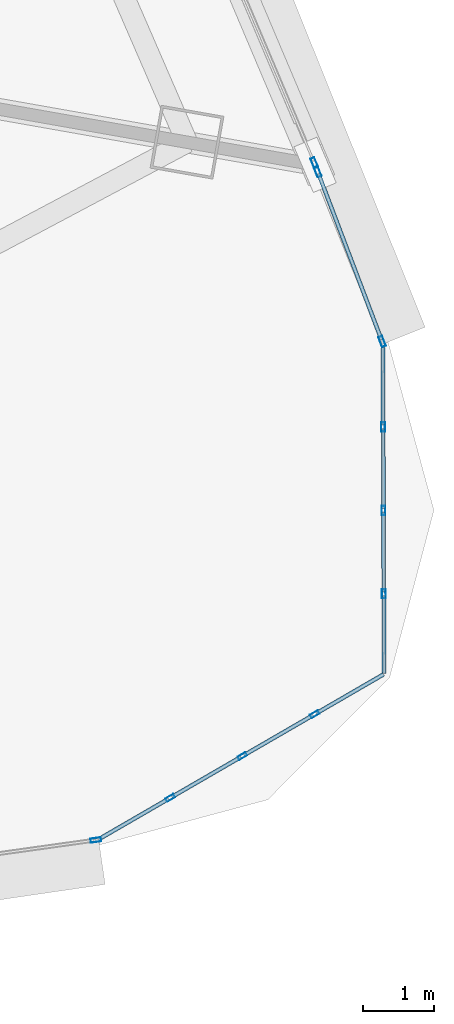
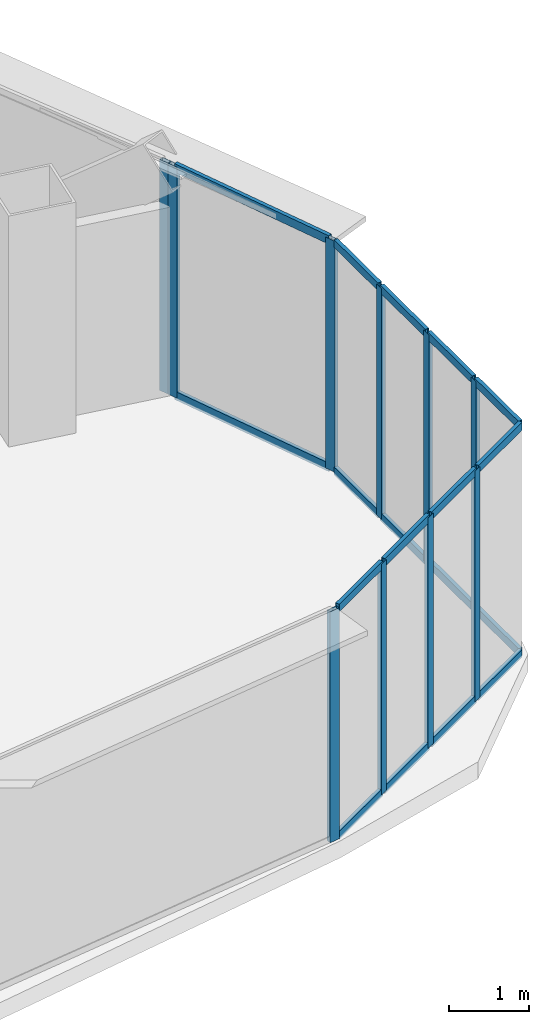
# One storey, part 23 of 38: 28 members, 5 elements without a shape of their own.
"""IFC4 building model written with IfcOpenShell, lengths in metres."""

from ifc_helpers import new_model, si_unit, direction, frame, origin, origin_2d, place, context, subcontext, project, spatial, hollow_rectangle, extrude, source, transform, mapped, material, layer, layer_set, material_profile, profile_set, type_object, element, aggregate, save


model = new_model("IFC4")

# Units and contexts
model_context = context("Model", 3, precision=1e-05, world=origin(), true_north=direction((0.0, 1.0)))
body_context = subcontext(model_context, "Body", "Model", "MODEL_VIEW")
ifc_project = project(units=[si_unit("LENGTHUNIT", "METRE"), si_unit("AREAUNIT", "SQUARE_METRE"), si_unit("VOLUMEUNIT", "CUBIC_METRE"), si_unit("PLANEANGLEUNIT", "RADIAN"), si_unit("MASSUNIT", "GRAM", prefix="KILO"), si_unit("THERMODYNAMICTEMPERATUREUNIT", "KELVIN"), si_unit("POWERUNIT", "WATT")], contexts=[model_context])

# Site, building, storey
site_placement = place(None, origin())
site = spatial("IfcSite", under=ifc_project, at=site_placement, CompositionType="ELEMENT")
building_placement = place(site_placement, origin())
building = spatial("IfcBuilding", under=site, at=building_placement, Name="Yunzhuo Pagoda Commons", CompositionType="ELEMENT")
storey_placement = place(building_placement, frame((0.0, 0.0, 203.760009765625)))
storey = spatial("IfcBuildingStorey", under=building, at=storey_placement, Name="L51", CompositionType="ELEMENT", Elevation=203.760009765625)

# Curtain wall, members
ifc_material = material(Name="Anodized aluminium 6063-T6", Category="aluminium")
ifc_layer_1 = layer(ifc_material, 0.1298828125)
ifc_layer_set_1 = layer_set([ifc_layer_1], Name="Anodized aluminium 6063-T6")
curtain_wall_type_1 = type_object("IfcCurtainWallType", Name="CW-VTX Rounded Corner Curtain Wall", PredefinedType="NOTDEFINED", material=ifc_layer_set_1)
curtain_wall_1_placement = place(storey_placement, origin())
curtain_wall_1 = element("IfcCurtainWall", 1, at=curtain_wall_1_placement, inside=storey, type_object=curtain_wall_type_1, Name="L51 curtain wall CW-L51-VTX2S1", PredefinedType="NOTDEFINED")
ifc_material_profile_1 = material_profile(ifc_material, hollow_rectangle(XDim=0.054931640625, YDim=0.1298828125, WallThickness=0.00341796875, at=origin_2d()), Name="Anodized aluminium 6063-T6")
ifc_profile_set_1 = profile_set([ifc_material_profile_1], Name="Anodized aluminium 6063-T6")
member_type_1 = type_object("IfcMemberType", Name="CW-VTX-M Mullion RHS 130x55x3.5", PredefinedType="MULLION", material=ifc_profile_set_1)
shared_shape_1 = source(origin(), body_context, "Body", "SweptSolid", [
    extrude(hollow_rectangle(XDim=0.054931640625, YDim=0.1298828125, WallThickness=0.00341796875, at=origin_2d()), origin(), (0.0, 0.0, 1.0), 3.5400390625),
])
member_1_placement = place(storey_placement, frame((82.969482421875, 18.24169921875, 0.0), z_axis=(0.0, 0.0, 1.0), x_axis=(-0.50103710735, 0.865425801013, 0.0)))
member_1 = element("IfcMember", 2, at=member_1_placement, type_object=member_type_1, Name="CW mullion 2", PredefinedType="MULLION", context=body_context, shape_type="MappedRepresentation", body=[
    mapped(shared_shape_1, transform((0.0, 0.0, 0.0), scale=1.0)),
])
member_2_placement = place(storey_placement, frame((83.989013671875, 18.831787109375, 0.0), z_axis=(0.0, 0.0, 1.0), x_axis=(-0.50103710735, 0.865425801013, 0.0)))
member_2 = element("IfcMember", 3, at=member_2_placement, type_object=member_type_1, Name="CW mullion 3", PredefinedType="MULLION", context=body_context, shape_type="MappedRepresentation", body=[
    mapped(shared_shape_1, transform((0.0, 0.0, 0.0), scale=1.0)),
])
member_3_placement = place(storey_placement, frame((85.008056640625, 19.421875, 0.0), z_axis=(0.0, 0.0, 1.0), x_axis=(-0.50103710735, 0.865425801013, 0.0)))
member_3 = element("IfcMember", 4, at=member_3_placement, type_object=member_type_1, Name="CW mullion 4", PredefinedType="MULLION", context=body_context, shape_type="MappedRepresentation", body=[
    mapped(shared_shape_1, transform((0.0, 0.0, 0.0), scale=1.0)),
])

curtain_wall_2_placement = place(storey_placement, origin())
curtain_wall_2 = element("IfcCurtainWall", 5, at=curtain_wall_2_placement, inside=storey, type_object=curtain_wall_type_1, Name="L51 curtain wall CW-L51-VTX2S2", PredefinedType="NOTDEFINED")
member_4_placement = place(storey_placement, frame((85.98291015625, 21.1201171875, 0.0), z_axis=(0.0, 0.0, 1.0), x_axis=(-0.999993564434, -0.00358763029, 0.0)))
member_4 = element("IfcMember", 6, at=member_4_placement, type_object=member_type_1, Name="CW mullion 2", PredefinedType="MULLION", context=body_context, shape_type="MappedRepresentation", body=[
    mapped(shared_shape_1, transform((0.0, 0.0, 0.0), scale=1.0)),
])
member_5_placement = place(storey_placement, frame((85.978759765625, 22.297607421875, 0.0), z_axis=(0.0, 0.0, 1.0), x_axis=(-0.999993564434, -0.00358763029, 0.0)))
member_5 = element("IfcMember", 7, at=member_5_placement, type_object=member_type_1, Name="CW mullion 3", PredefinedType="MULLION", context=body_context, shape_type="MappedRepresentation", body=[
    mapped(shared_shape_1, transform((0.0, 0.0, 0.0), scale=1.0)),
])
member_6_placement = place(storey_placement, frame((85.974365234375, 23.475341796875, 0.0), z_axis=(0.0, 0.0, 1.0), x_axis=(-0.999993564434, -0.00358763029, 0.0)))
member_6 = element("IfcMember", 8, at=member_6_placement, type_object=member_type_1, Name="CW mullion 4", PredefinedType="MULLION", context=body_context, shape_type="MappedRepresentation", body=[
    mapped(shared_shape_1, transform((0.0, 0.0, 0.0), scale=1.0)),
])

# Curtain wall, member
ifc_layer_2 = layer(ifc_material, 0.14990234375)
ifc_layer_set_2 = layer_set([ifc_layer_2], Name="Anodized aluminium 6063-T6")
curtain_wall_type_2 = type_object("IfcCurtainWallType", Name="CW-MID Mid-Zone Ribbon Curtain Wall", PredefinedType="NOTDEFINED", material=ifc_layer_set_2)
curtain_wall_3_placement = place(storey_placement, origin())
curtain_wall_3 = element("IfcCurtainWall", 9, at=curtain_wall_3_placement, inside=storey, type_object=curtain_wall_type_2, Name="L51 curtain wall CW-L51-F1B5", PredefinedType="NOTDEFINED")
ifc_material_profile_2 = material_profile(ifc_material, hollow_rectangle(XDim=0.06005859375, YDim=0.14990234375, WallThickness=0.00390625, at=origin_2d()), Name="Anodized aluminium 6063-T6")
ifc_profile_set_2 = profile_set([ifc_material_profile_2], Name="Anodized aluminium 6063-T6")
member_type_2 = type_object("IfcMemberType", Name="CW-MID-M Mullion RHS 150x60x4", PredefinedType="MULLION", material=ifc_profile_set_2)
shared_shape_2 = source(origin(), body_context, "Body", "SweptSolid", [
    extrude(hollow_rectangle(XDim=0.06005859375, YDim=0.14990234375, WallThickness=0.00390625, at=origin_2d()), origin(), (0.0, 0.0, 1.0), 3.5400390625),
])
member_7_placement = place(storey_placement, frame((81.920654296875, 17.6474609375, 0.0), z_axis=(0.0, 0.0, 1.0), x_axis=(-0.138819494362, 0.990317700531, 0.0)))
member_7 = element("IfcMember", 10, at=member_7_placement, type_object=member_type_2, Name="CW mullion 2", PredefinedType="MULLION", context=body_context, shape_type="MappedRepresentation", body=[
    mapped(shared_shape_2, transform((0.0, 0.0, 0.0), scale=1.0)),
])
aggregate(curtain_wall_3, [member_7])

curtain_wall_4_placement = place(storey_placement, origin())
curtain_wall_4 = element("IfcCurtainWall", 11, at=curtain_wall_4_placement, inside=storey, type_object=curtain_wall_type_2, Name="L51 curtain wall CW-L51-F2B2", PredefinedType="NOTDEFINED")
member_8_placement = place(storey_placement, frame((85.0029296875, 27.200927734375, 0.0), z_axis=(0.0, 0.0, 1.0), x_axis=(-0.920824274127, -0.389977763697, 0.0)))
member_8 = element("IfcMember", 12, at=member_8_placement, type_object=member_type_2, Name="CW mullion 1", PredefinedType="MULLION", context=body_context, shape_type="MappedRepresentation", body=[
    mapped(shared_shape_2, transform((0.0, 0.0, 0.0), scale=1.0)),
])
aggregate(curtain_wall_4, [member_8])

# Curtain wall, members
curtain_wall_5_placement = place(storey_placement, origin())
curtain_wall_5 = element("IfcCurtainWall", 13, at=curtain_wall_5_placement, inside=storey, type_object=curtain_wall_type_2, Name="L51 curtain wall CW-L51-F2B1", PredefinedType="NOTDEFINED")
member_9_placement = place(storey_placement, frame((85.95947265625, 24.68115234375, 0.0), z_axis=(0.0, 0.0, 1.0), x_axis=(-0.935033739191, -0.354558749116, 0.0)))
member_9 = element("IfcMember", 14, at=member_9_placement, type_object=member_type_2, Name="CW mullion 1", PredefinedType="MULLION", context=body_context, shape_type="MappedRepresentation", body=[
    mapped(shared_shape_2, transform((0.0, 0.0, 0.0), scale=1.0)),
])
member_10_placement = place(storey_placement, frame((85.0517578125, 27.0751953125, 0.0), z_axis=(0.0, 0.0, 1.0), x_axis=(-0.935033739191, -0.354558749116, 0.0)))
member_10 = element("IfcMember", 15, at=member_10_placement, type_object=member_type_2, Name="CW mullion 2", PredefinedType="MULLION", context=body_context, shape_type="MappedRepresentation", body=[
    mapped(shared_shape_2, transform((0.0, 0.0, 0.0), scale=1.0)),
])
ifc_material_profile_3 = material_profile(ifc_material, hollow_rectangle(XDim=0.054931640625, YDim=0.1298828125, WallThickness=0.00341796875, at=origin_2d()), Name="Anodized aluminium 6063-T6")
ifc_profile_set_3 = profile_set([ifc_material_profile_3], Name="Anodized aluminium 6063-T6")
member_type_3 = type_object("IfcMemberType", Name="CW-MID-T Transom RHS 130x55x3.5", PredefinedType="USERDEFINED", material=ifc_profile_set_3)
shared_shape_3 = source(origin(), body_context, "Body", "SweptSolid", [
    extrude(hollow_rectangle(XDim=0.054931640625, YDim=0.1298828125, WallThickness=0.00341796875, at=origin_2d()), origin(), (0.0, 0.0, 1.0), 2.500732421875),
])
member_11_placement = place(storey_placement, frame((85.948974609375, 24.708984375, 0.027587890625), z_axis=(-0.354598313462, 0.935018735689, 0.0), x_axis=(-0.935018735689, -0.354598313462, 0.0)))
member_11 = element("IfcMember", 16, at=member_11_placement, type_object=member_type_3, Name="CW transom 1.1", ObjectType="TRANSOM", PredefinedType="USERDEFINED", context=body_context, shape_type="MappedRepresentation", body=[
    mapped(shared_shape_3, transform((0.0, 0.0, 0.0), scale=1.0)),
])
member_12_placement = place(storey_placement, frame((85.948974609375, 24.708984375, 3.512451171875), z_axis=(-0.354598313462, 0.935018735689, 0.0), x_axis=(-0.935018735689, -0.354598313462, 0.0)))
member_12 = element("IfcMember", 17, at=member_12_placement, type_object=member_type_3, Name="CW transom 1.2", ObjectType="TRANSOM", PredefinedType="USERDEFINED", context=body_context, shape_type="MappedRepresentation", body=[
    mapped(shared_shape_3, transform((0.0, 0.0, 0.0), scale=1.0)),
])
aggregate(curtain_wall_5, [member_9, member_10, member_11, member_12])

# Member
ifc_material_profile_4 = material_profile(ifc_material, hollow_rectangle(XDim=0.054931640625, YDim=0.1201171875, WallThickness=0.00341796875, at=origin_2d()), Name="Anodized aluminium 6063-T6")
ifc_profile_set_4 = profile_set([ifc_material_profile_4], Name="Anodized aluminium 6063-T6")
member_type_4 = type_object("IfcMemberType", Name="CW-VTX-T Transom RHS 120x55x3.5", PredefinedType="USERDEFINED", material=ifc_profile_set_4)
shared_shape_4 = source(origin(), body_context, "Body", "SweptSolid", [
    extrude(hollow_rectangle(XDim=0.054931640625, YDim=0.1201171875, WallThickness=0.00341796875, at=origin_2d()), origin(), (0.0, 0.0, 1.0), 1.094970703125),
])
member_13_placement = place(storey_placement, frame((85.98681640625, 19.99755859375, 0.027587890625), z_axis=(-0.003567424345, 0.999993636722, 0.0), x_axis=(-0.999993636722, -0.003567424345, 0.0)))
member_13 = element("IfcMember", 18, at=member_13_placement, type_object=member_type_4, Name="CW transom 1.1", ObjectType="TRANSOM", PredefinedType="USERDEFINED", context=body_context, shape_type="MappedRepresentation", body=[
    mapped(shared_shape_4, transform((0.0, 0.0, 0.0), scale=1.0)),
])

member_14_placement = place(storey_placement, frame((85.98681640625, 19.99755859375, 3.512451171875), z_axis=(-0.003567424345, 0.999993636722, 0.0), x_axis=(-0.999993636722, -0.003567424345, 0.0)))
member_14 = element("IfcMember", 19, at=member_14_placement, type_object=member_type_4, Name="CW transom 1.2", ObjectType="TRANSOM", PredefinedType="USERDEFINED", context=body_context, shape_type="MappedRepresentation", body=[
    mapped(shared_shape_4, transform((0.0, 0.0, 0.0), scale=1.0)),
])

member_15_placement = place(storey_placement, frame((85.974365234375, 23.5029296875, 0.027587890625), z_axis=(-0.003567424345, 0.999993636722, 0.0), x_axis=(-0.999993636722, -0.003567424345, 0.0)))
member_15 = element("IfcMember", 20, at=member_15_placement, type_object=member_type_4, Name="CW transom 4.1", ObjectType="TRANSOM", PredefinedType="USERDEFINED", context=body_context, shape_type="MappedRepresentation", body=[
    mapped(shared_shape_4, transform((0.0, 0.0, 0.0), scale=1.0)),
])

member_16_placement = place(storey_placement, frame((85.974365234375, 23.5029296875, 3.512451171875), z_axis=(-0.003567424345, 0.999993636722, 0.0), x_axis=(-0.999993636722, -0.003567424345, 0.0)))
member_16 = element("IfcMember", 21, at=member_16_placement, type_object=member_type_4, Name="CW transom 4.2", ObjectType="TRANSOM", PredefinedType="USERDEFINED", context=body_context, shape_type="MappedRepresentation", body=[
    mapped(shared_shape_4, transform((0.0, 0.0, 0.0), scale=1.0)),
])

shared_shape_5 = source(origin(), body_context, "Body", "SweptSolid", [
    extrude(hollow_rectangle(XDim=0.054931640625, YDim=0.1201171875, WallThickness=0.00341796875, at=origin_2d()), origin(), (0.0, 0.0, 1.0), 1.12255859375),
])
member_17_placement = place(storey_placement, frame((85.978515625, 22.3251953125, 0.027587890625), z_axis=(-0.003479752747, 0.999993945642, 0.0), x_axis=(-0.999993945642, -0.003479752747, 0.0)))
member_17 = element("IfcMember", 22, at=member_17_placement, type_object=member_type_4, Name="CW transom 3.1", ObjectType="TRANSOM", PredefinedType="USERDEFINED", context=body_context, shape_type="MappedRepresentation", body=[
    mapped(shared_shape_5, transform((0.0, 0.0, 0.0), scale=1.0)),
])

member_18_placement = place(storey_placement, frame((85.978515625, 22.3251953125, 3.512451171875), z_axis=(-0.003479752747, 0.999993945642, 0.0), x_axis=(-0.999993945642, -0.003479752747, 0.0)))
member_18 = element("IfcMember", 23, at=member_18_placement, type_object=member_type_4, Name="CW transom 3.2", ObjectType="TRANSOM", PredefinedType="USERDEFINED", context=body_context, shape_type="MappedRepresentation", body=[
    mapped(shared_shape_5, transform((0.0, 0.0, 0.0), scale=1.0)),
])

shared_shape_6 = source(origin(), body_context, "Body", "SweptSolid", [
    extrude(hollow_rectangle(XDim=0.054931640625, YDim=0.1201171875, WallThickness=0.00341796875, at=origin_2d()), origin(), (0.0, 0.0, 1.0), 1.122802734375),
])
member_19_placement = place(storey_placement, frame((82.9931640625, 18.255615234375, 0.027587890625), z_axis=(0.865446134898, 0.501001983619, 0.0), x_axis=(-0.501001983619, 0.865446134898, 0.0)))
member_19 = element("IfcMember", 24, at=member_19_placement, type_object=member_type_4, Name="CW transom 2.1", ObjectType="TRANSOM", PredefinedType="USERDEFINED", context=body_context, shape_type="MappedRepresentation", body=[
    mapped(shared_shape_6, transform((0.0, 0.0, 0.0), scale=1.0)),
])

member_20_placement = place(storey_placement, frame((82.9931640625, 18.255615234375, 3.512451171875), z_axis=(0.865446134898, 0.501001983619, 0.0), x_axis=(-0.501001983619, 0.865446134898, 0.0)))
member_20 = element("IfcMember", 25, at=member_20_placement, type_object=member_type_4, Name="CW transom 2.2", ObjectType="TRANSOM", PredefinedType="USERDEFINED", context=body_context, shape_type="MappedRepresentation", body=[
    mapped(shared_shape_6, transform((0.0, 0.0, 0.0), scale=1.0)),
])

member_21_placement = place(storey_placement, frame((84.012451171875, 18.845458984375, 0.027587890625), z_axis=(0.865446134898, 0.501001983619, 0.0), x_axis=(-0.501001983619, 0.865446134898, 0.0)))
member_21 = element("IfcMember", 26, at=member_21_placement, type_object=member_type_4, Name="CW transom 3.1", ObjectType="TRANSOM", PredefinedType="USERDEFINED", context=body_context, shape_type="MappedRepresentation", body=[
    mapped(shared_shape_6, transform((0.0, 0.0, 0.0), scale=1.0)),
])

member_22_placement = place(storey_placement, frame((84.012451171875, 18.845458984375, 3.512451171875), z_axis=(0.865446134898, 0.501001983619, 0.0), x_axis=(-0.501001983619, 0.865446134898, 0.0)))
member_22 = element("IfcMember", 27, at=member_22_placement, type_object=member_type_4, Name="CW transom 3.2", ObjectType="TRANSOM", PredefinedType="USERDEFINED", context=body_context, shape_type="MappedRepresentation", body=[
    mapped(shared_shape_6, transform((0.0, 0.0, 0.0), scale=1.0)),
])

member_23_placement = place(storey_placement, frame((85.982666015625, 21.1474609375, 0.027587890625), z_axis=(-0.003478996124, 0.999993948275, 0.0), x_axis=(-0.999993948275, -0.003478996124, 0.0)))
member_23 = element("IfcMember", 28, at=member_23_placement, type_object=member_type_4, Name="CW transom 2.1", ObjectType="TRANSOM", PredefinedType="USERDEFINED", context=body_context, shape_type="MappedRepresentation", body=[
    mapped(shared_shape_6, transform((0.0, 0.0, 0.0), scale=1.0)),
])

member_24_placement = place(storey_placement, frame((85.982666015625, 21.1474609375, 3.512451171875), z_axis=(-0.003478996124, 0.999993948275, 0.0), x_axis=(-0.999993948275, -0.003478996124, 0.0)))
member_24 = element("IfcMember", 29, at=member_24_placement, type_object=member_type_4, Name="CW transom 2.2", ObjectType="TRANSOM", PredefinedType="USERDEFINED", context=body_context, shape_type="MappedRepresentation", body=[
    mapped(shared_shape_6, transform((0.0, 0.0, 0.0), scale=1.0)),
])

aggregate(curtain_wall_2, [member_4, member_5, member_6, member_13, member_14, member_23, member_24, member_17, member_18, member_15, member_16])

shared_shape_7 = source(origin(), body_context, "Body", "SweptSolid", [
    extrude(hollow_rectangle(XDim=0.054931640625, YDim=0.1201171875, WallThickness=0.00341796875, at=origin_2d()), origin(), (0.0, 0.0, 1.0), 1.09521484375),
])
member_25_placement = place(storey_placement, frame((81.997802734375, 17.67919921875, 0.027587890625), z_axis=(0.865375407163, 0.501124140985, 0.0), x_axis=(-0.501124140985, 0.865375407163, 0.0)))
member_25 = element("IfcMember", 30, at=member_25_placement, type_object=member_type_4, Name="CW transom 1.1", ObjectType="TRANSOM", PredefinedType="USERDEFINED", context=body_context, shape_type="MappedRepresentation", body=[
    mapped(shared_shape_7, transform((0.0, 0.0, 0.0), scale=1.0)),
])

member_26_placement = place(storey_placement, frame((81.997802734375, 17.67919921875, 3.512451171875), z_axis=(0.865375407163, 0.501124140985, 0.0), x_axis=(-0.501124140985, 0.865375407163, 0.0)))
member_26 = element("IfcMember", 31, at=member_26_placement, type_object=member_type_4, Name="CW transom 1.2", ObjectType="TRANSOM", PredefinedType="USERDEFINED", context=body_context, shape_type="MappedRepresentation", body=[
    mapped(shared_shape_7, transform((0.0, 0.0, 0.0), scale=1.0)),
])

member_27_placement = place(storey_placement, frame((85.03173828125, 19.435546875, 0.027587890625), z_axis=(0.865375407163, 0.501124140985, 0.0), x_axis=(-0.501124140985, 0.865375407163, 0.0)))
member_27 = element("IfcMember", 32, at=member_27_placement, type_object=member_type_4, Name="CW transom 4.1", ObjectType="TRANSOM", PredefinedType="USERDEFINED", context=body_context, shape_type="MappedRepresentation", body=[
    mapped(shared_shape_7, transform((0.0, 0.0, 0.0), scale=1.0)),
])

member_28_placement = place(storey_placement, frame((85.03173828125, 19.435546875, 3.512451171875), z_axis=(0.865375407163, 0.501124140985, 0.0), x_axis=(-0.501124140985, 0.865375407163, 0.0)))
member_28 = element("IfcMember", 33, at=member_28_placement, type_object=member_type_4, Name="CW transom 4.2", ObjectType="TRANSOM", PredefinedType="USERDEFINED", context=body_context, shape_type="MappedRepresentation", body=[
    mapped(shared_shape_7, transform((0.0, 0.0, 0.0), scale=1.0)),
])

aggregate(curtain_wall_1, [member_1, member_2, member_3, member_25, member_26, member_19, member_20, member_21, member_22, member_27, member_28])

save(model, "model.ifc")
